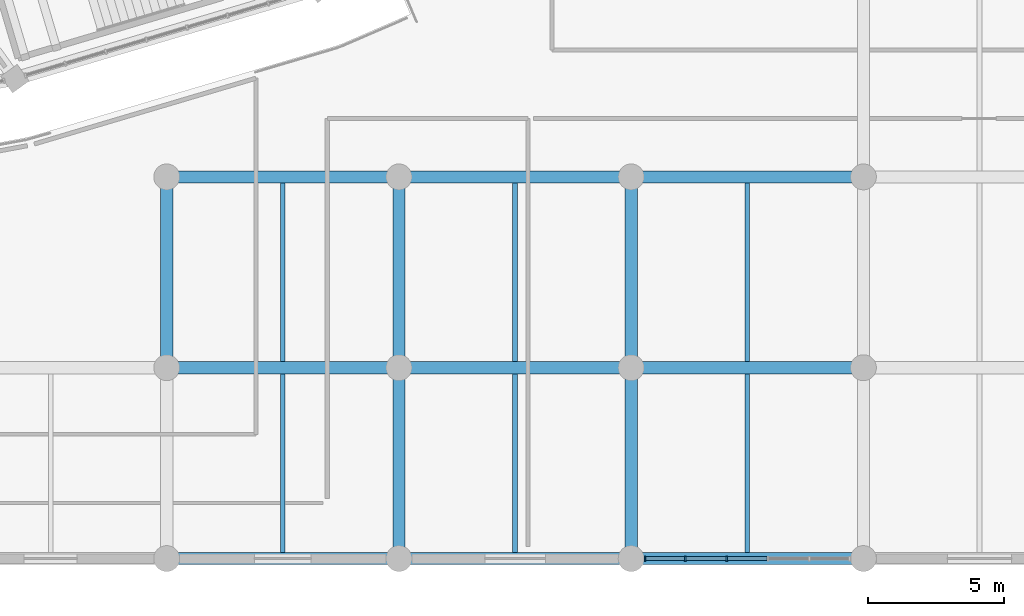
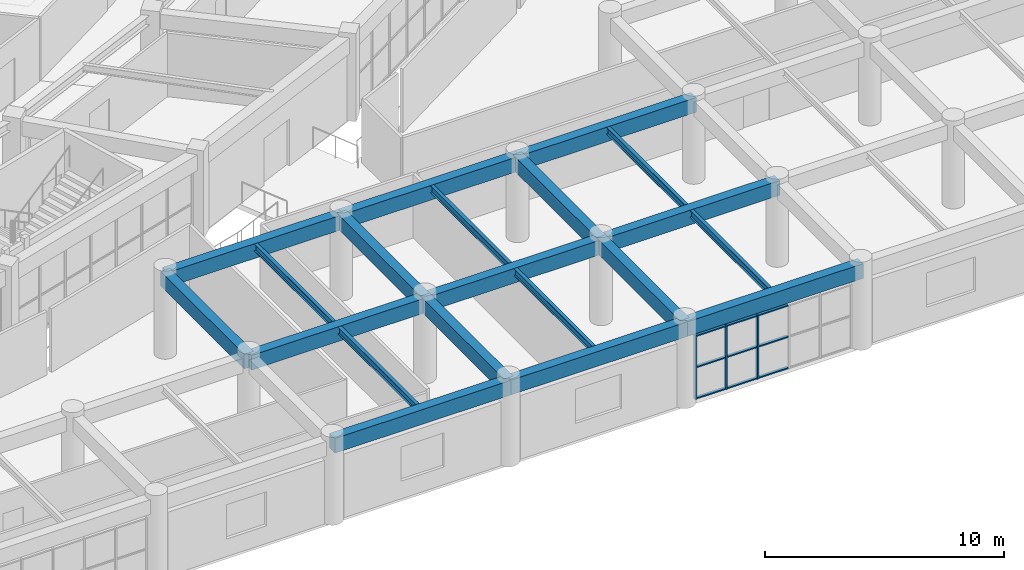
# One storey, part 34 of 141: 20 beams, 12 members, 1 element without a shape of its own.
"""IFC4 building model written with IfcOpenShell, lengths in metres."""

from ifc_helpers import new_model, si_unit, direction, frame, origin, origin_2d, place, context, subcontext, project, spatial, rectangle, i_section, extrude, material, layer, layer_set, material_profile, profile_set, type_object, element, aggregate, save


model = new_model("IFC4")

# Units and contexts
model_context = context("Model", 3, precision=1e-05, world=origin(), true_north=direction((0.0, 1.0)))
body_context = subcontext(model_context, "Body", "Model", "MODEL_VIEW")
ifc_project = project(units=[si_unit("LENGTHUNIT", "METRE"), si_unit("AREAUNIT", "SQUARE_METRE"), si_unit("VOLUMEUNIT", "CUBIC_METRE"), si_unit("PLANEANGLEUNIT", "RADIAN"), si_unit("MASSUNIT", "GRAM", prefix="KILO")], contexts=[model_context])

# Site, building, storey
site_placement = place(None, origin())
site = spatial("IfcSite", under=ifc_project, at=site_placement, CompositionType="ELEMENT")
building_placement = place(site_placement, origin())
building = spatial("IfcBuilding", under=site, at=building_placement, Name="Mphavela Belvedere Stadium", CompositionType="ELEMENT")
storey_placement = place(building_placement, frame((0.0, 0.0, 14.699951171875)))
storey = spatial("IfcBuildingStorey", under=building, at=storey_placement, Name="L03", CompositionType="ELEMENT", Elevation=14.699951171875)

# Beams
ifc_material_1 = material(Name="Steel S355", Category="steel")
ifc_material_profile_1 = material_profile(ifc_material_1, i_section(OverallWidth=0.169921875, OverallDepth=0.360107421875, WebThickness=0.008056640625, FlangeThickness=0.0126953125, at=origin_2d()), Name="IPE 360")
ifc_profile_set_1 = profile_set([ifc_material_profile_1], Name="Steel S355")
beam_type_1 = type_object("IfcBeamType", Name="BM-JOIST-IPE360", PredefinedType="JOIST", material=ifc_profile_set_1)
for number, where, z_axis, x_axis, name in (
    (1, (174.62939453125, 0.22509765625, 4.06005859375), (0.0, 1.0, 0.0), (-1.0, 0.0, 0.0), "South Axial Triumphal Peristyle Portico secondary joist L03 21-1"),
    (2, (174.62939453125, 7.22509765625, 4.06005859375), (0.0, 1.0, 0.0), (-1.0, 0.0, 0.0), "South Axial Triumphal Peristyle Portico secondary joist L03 21-2"),
    (3, (183.14794921875, 0.22509765625, 4.06005859375), (0.0, 1.0, 0.0), (-1.0, 0.0, 0.0), "South Axial Triumphal Peristyle Portico secondary joist L03 22-1"),
    (4, (183.14794921875, 7.22509765625, 4.06005859375), (0.0, 1.0, 0.0), (-1.0, 0.0, 0.0), "South Axial Triumphal Peristyle Portico secondary joist L03 22-2"),
    (5, (191.66650390625, 0.22509765625, 4.06005859375), (0.0, 1.0, 0.0), (-1.0, 0.0, 0.0), "South Axial Triumphal Peristyle Portico secondary joist L03 23-1"),
    (6, (191.66650390625, 7.22509765625, 4.06005859375), (0.0, 1.0, 0.0), (-1.0, 0.0, 0.0), "South Axial Triumphal Peristyle Portico secondary joist L03 23-2"),
):
    element("IfcBeam", number, at=place(storey_placement, frame(where, z_axis=z_axis, x_axis=x_axis)), inside=storey, type_object=beam_type_1, Name=name, PredefinedType="JOIST", context=body_context, shape_type="SweptSolid", body=[
        extrude(i_section(OverallWidth=0.169921875, OverallDepth=0.360107421875, WebThickness=0.008056640625, FlangeThickness=0.0126953125, at=origin_2d()), origin(), (0.0, 0.0, 1.0), 6.5498046875),
    ])
ifc_material_2 = material(Name="Concrete C40/50", Category="concrete")
ifc_material_profile_2 = material_profile(ifc_material_2, rectangle(XDim=0.449951171875, YDim=0.75, at=origin_2d()), Name="RC 450x750")
ifc_profile_set_2 = profile_set([ifc_material_profile_2], Name="Concrete C40/50")
beam_type_2 = type_object("IfcBeamType", Name="BM-RC450x750", PredefinedType="BEAM", material=ifc_profile_set_2)
for number, where, z_axis, x_axis, name in (
    (7, (170.3701171875, 0.0, 3.864990234375), (1.0, 0.0, 0.0), (0.0, 1.0, 0.0), "South Axial Triumphal Peristyle Portico entablature beam X L03 21-1"),
    (8, (170.3701171875, 7.0, 3.864990234375), (1.0, 0.0, 0.0), (0.0, 1.0, 0.0), "South Axial Triumphal Peristyle Portico entablature beam X L03 21-2"),
):
    element("IfcBeam", number, at=place(storey_placement, frame(where, z_axis=z_axis, x_axis=x_axis)), inside=storey, type_object=beam_type_2, Name=name, PredefinedType="BEAM", context=body_context, shape_type="SweptSolid", body=[
        extrude(rectangle(XDim=0.449951171875, YDim=0.75, at=origin_2d()), origin(), (0.0, 0.0, 1.0), 8.518798828125),
    ])
beam_1_placement = place(storey_placement, frame((170.3701171875, 7.0, 3.864990234375), z_axis=(0.0, 1.0, 0.0), x_axis=(-1.0, 0.0, 0.0)))
element("IfcBeam", 9, at=beam_1_placement, inside=storey, type_object=beam_type_2, Name="South Axial Triumphal Peristyle Portico entablature beam Y L03 21-2", PredefinedType="BEAM", context=body_context, shape_type="SweptSolid", body=[
    extrude(rectangle(XDim=0.449951171875, YDim=0.75, at=origin_2d()), origin(), (0.0, 0.0, 1.0), 7.0),
])
beam_2_placement = place(storey_placement, frame((170.3701171875, 14.0, 3.864990234375), z_axis=(1.0, 0.0, 0.0), x_axis=(0.0, 1.0, 0.0)))
element("IfcBeam", 10, at=beam_2_placement, inside=storey, type_object=beam_type_2, Name="South Axial Triumphal Peristyle Portico entablature beam X L03 21-3", PredefinedType="BEAM", context=body_context, shape_type="SweptSolid", body=[
    extrude(rectangle(XDim=0.449951171875, YDim=0.75, at=origin_2d()), origin(), (0.0, 0.0, 1.0), 8.518798828125),
])
beam_3_placement = place(storey_placement, frame((178.888916015625, 0.0, 3.864990234375), z_axis=(1.0, 0.0, 0.0), x_axis=(0.0, 1.0, 0.0)))
element("IfcBeam", 11, at=beam_3_placement, inside=storey, type_object=beam_type_2, Name="South Axial Triumphal Peristyle Portico entablature beam X L03 22-1", PredefinedType="BEAM", context=body_context, shape_type="SweptSolid", body=[
    extrude(rectangle(XDim=0.449951171875, YDim=0.75, at=origin_2d()), origin(), (0.0, 0.0, 1.0), 8.51806640625),
])
beam_4_placement = place(storey_placement, frame((178.888916015625, 0.0, 3.864990234375), z_axis=(0.0, 1.0, 0.0), x_axis=(-1.0, 0.0, 0.0)))
element("IfcBeam", 12, at=beam_4_placement, inside=storey, type_object=beam_type_2, Name="South Axial Triumphal Peristyle Portico entablature beam Y L03 22-1", PredefinedType="BEAM", context=body_context, shape_type="SweptSolid", body=[
    extrude(rectangle(XDim=0.449951171875, YDim=0.75, at=origin_2d()), origin(), (0.0, 0.0, 1.0), 7.0),
])
beam_5_placement = place(storey_placement, frame((178.888916015625, 7.0, 3.864990234375), z_axis=(1.0, 0.0, 0.0), x_axis=(0.0, 1.0, 0.0)))
element("IfcBeam", 13, at=beam_5_placement, inside=storey, type_object=beam_type_2, Name="South Axial Triumphal Peristyle Portico entablature beam X L03 22-2", PredefinedType="BEAM", context=body_context, shape_type="SweptSolid", body=[
    extrude(rectangle(XDim=0.449951171875, YDim=0.75, at=origin_2d()), origin(), (0.0, 0.0, 1.0), 8.51806640625),
])
beam_6_placement = place(storey_placement, frame((178.888916015625, 7.0, 3.864990234375), z_axis=(0.0, 1.0, 0.0), x_axis=(-1.0, 0.0, 0.0)))
element("IfcBeam", 14, at=beam_6_placement, inside=storey, type_object=beam_type_2, Name="South Axial Triumphal Peristyle Portico entablature beam Y L03 22-2", PredefinedType="BEAM", context=body_context, shape_type="SweptSolid", body=[
    extrude(rectangle(XDim=0.449951171875, YDim=0.75, at=origin_2d()), origin(), (0.0, 0.0, 1.0), 7.0),
])
beam_7_placement = place(storey_placement, frame((178.888916015625, 14.0, 3.864990234375), z_axis=(1.0, 0.0, 0.0), x_axis=(0.0, 1.0, 0.0)))
element("IfcBeam", 15, at=beam_7_placement, inside=storey, type_object=beam_type_2, Name="South Axial Triumphal Peristyle Portico entablature beam X L03 22-3", PredefinedType="BEAM", context=body_context, shape_type="SweptSolid", body=[
    extrude(rectangle(XDim=0.449951171875, YDim=0.75, at=origin_2d()), origin(), (0.0, 0.0, 1.0), 8.51806640625),
])
beam_8_placement = place(storey_placement, frame((187.406982421875, 0.0, 3.864990234375), z_axis=(1.0, 0.0, 0.0), x_axis=(0.0, 1.0, 0.0)))
element("IfcBeam", 16, at=beam_8_placement, inside=storey, type_object=beam_type_2, Name="South Axial Triumphal Peristyle Portico entablature beam X L03 23-1", PredefinedType="BEAM", context=body_context, shape_type="SweptSolid", body=[
    extrude(rectangle(XDim=0.449951171875, YDim=0.75, at=origin_2d()), origin(), (0.0, 0.0, 1.0), 8.51904296875),
])
beam_9_placement = place(storey_placement, frame((187.406982421875, 0.0, 3.864990234375), z_axis=(0.0, 1.0, 0.0), x_axis=(-1.0, 0.0, 0.0)))
element("IfcBeam", 17, at=beam_9_placement, inside=storey, type_object=beam_type_2, Name="South Axial Triumphal Peristyle Portico entablature beam Y L03 23-1", PredefinedType="BEAM", context=body_context, shape_type="SweptSolid", body=[
    extrude(rectangle(XDim=0.449951171875, YDim=0.75, at=origin_2d()), origin(), (0.0, 0.0, 1.0), 7.0),
])
beam_10_placement = place(storey_placement, frame((187.406982421875, 7.0, 3.864990234375), z_axis=(1.0, 0.0, 0.0), x_axis=(0.0, 1.0, 0.0)))
element("IfcBeam", 18, at=beam_10_placement, inside=storey, type_object=beam_type_2, Name="South Axial Triumphal Peristyle Portico entablature beam X L03 23-2", PredefinedType="BEAM", context=body_context, shape_type="SweptSolid", body=[
    extrude(rectangle(XDim=0.449951171875, YDim=0.75, at=origin_2d()), origin(), (0.0, 0.0, 1.0), 8.51904296875),
])
beam_11_placement = place(storey_placement, frame((187.406982421875, 7.0, 3.864990234375), z_axis=(0.0, 1.0, 0.0), x_axis=(-1.0, 0.0, 0.0)))
element("IfcBeam", 19, at=beam_11_placement, inside=storey, type_object=beam_type_2, Name="South Axial Triumphal Peristyle Portico entablature beam Y L03 23-2", PredefinedType="BEAM", context=body_context, shape_type="SweptSolid", body=[
    extrude(rectangle(XDim=0.449951171875, YDim=0.75, at=origin_2d()), origin(), (0.0, 0.0, 1.0), 7.0),
])
beam_12_placement = place(storey_placement, frame((187.406982421875, 14.0, 3.864990234375), z_axis=(1.0, 0.0, 0.0), x_axis=(0.0, 1.0, 0.0)))
element("IfcBeam", 20, at=beam_12_placement, inside=storey, type_object=beam_type_2, Name="South Axial Triumphal Peristyle Portico entablature beam X L03 23-3", PredefinedType="BEAM", context=body_context, shape_type="SweptSolid", body=[
    extrude(rectangle(XDim=0.449951171875, YDim=0.75, at=origin_2d()), origin(), (0.0, 0.0, 1.0), 8.51904296875),
])

# Curtain wall, members
ifc_material_3 = material(Name="Anodised bronze unitised curtain wall framing")
ifc_layer = layer(ifc_material_3, 0.18505859375)
ifc_layer_set = layer_set([ifc_layer], Name="Anodised bronze unitised curtain wall framing")
curtain_wall_type = type_object("IfcCurtainWallType", Name="CW-UNIT-02", PredefinedType="USERDEFINED", material=ifc_layer_set)
curtain_wall_placement = place(storey_placement, origin())
curtain_wall = element("IfcCurtainWall", 21, at=curtain_wall_placement, inside=storey, type_object=curtain_wall_type, Name="South Axial Triumphal Peristyle Portico gallery curtain wall L03-23", ObjectType="UNITISED CURTAIN WALL", PredefinedType="USERDEFINED")
ifc_material_4 = material(Name="Anodised bronze extruded aluminium", Category="aluminium")
ifc_material_profile_3 = material_profile(ifc_material_4, rectangle(XDim=0.179931640625, YDim=0.06494140625, at=origin_2d()), Name="CW-MUL 180x65")
ifc_profile_set_3 = profile_set([ifc_material_profile_3], Name="Anodised bronze extruded aluminium")
member_type_1 = type_object("IfcMemberType", Name="CWM-180x65", PredefinedType="MULLION", material=ifc_profile_set_3)
member_1_placement = place(storey_placement, frame((190.9091796875, 0.0, 0.0), z_axis=(0.0, 0.0, 1.0), x_axis=(0.0, -1.0, 0.0)))
member_1 = element("IfcMember", 22, at=member_1_placement, type_object=member_type_1, Name="CW-02 mullion 4", PredefinedType="MULLION", context=body_context, shape_type="SweptSolid", body=[
    extrude(rectangle(XDim=0.179931640625, YDim=0.06494140625, at=origin_2d()), origin(), (0.0, 0.0, 1.0), 3.260009765625),
])
member_2_placement = place(storey_placement, frame((189.39453125, 0.0, 0.0), z_axis=(0.0, 0.0, 1.0), x_axis=(0.0, -1.0, 0.0)))
member_2 = element("IfcMember", 23, at=member_2_placement, type_object=member_type_1, Name="CW-02 mullion 5", PredefinedType="MULLION", context=body_context, shape_type="SweptSolid", body=[
    extrude(rectangle(XDim=0.179931640625, YDim=0.06494140625, at=origin_2d()), origin(), (0.0, 0.0, 1.0), 3.260009765625),
])
member_3_placement = place(storey_placement, frame((187.91259765625, 0.0, 0.0), z_axis=(0.0, 0.0, 1.0), x_axis=(0.0, -1.0, 0.0)))
member_3 = element("IfcMember", 24, at=member_3_placement, type_object=member_type_1, Name="CW-02 mullion 6", PredefinedType="MULLION", context=body_context, shape_type="SweptSolid", body=[
    extrude(rectangle(XDim=0.179931640625, YDim=0.06494140625, at=origin_2d()), origin(), (0.0, 0.0, 1.0), 3.260009765625),
])
ifc_material_5 = material(Name="Anodised bronze extruded aluminium", Category="aluminium")
ifc_material_profile_4 = material_profile(ifc_material_5, rectangle(XDim=0.139892578125, YDim=0.06005859375, at=origin_2d()), Name="CW-TRN 140x60")
ifc_profile_set_4 = profile_set([ifc_material_profile_4], Name="Anodised bronze extruded aluminium")
member_type_2 = type_object("IfcMemberType", Name="CWT-140x60", PredefinedType="USERDEFINED", material=ifc_profile_set_4)
member_4_placement = place(storey_placement, frame((192.391357421875, 0.0, 0.030029296875), z_axis=(-1.0, 0.0, 0.0), x_axis=(0.0, -1.0, 0.0)))
member_4 = element("IfcMember", 25, at=member_4_placement, type_object=member_type_2, Name="CW-02 transom 3.1", ObjectType="TRANSOM", PredefinedType="USERDEFINED", context=body_context, shape_type="SweptSolid", body=[
    extrude(rectangle(XDim=0.139892578125, YDim=0.06005859375, at=origin_2d()), origin(), (0.0, 0.0, 1.0), 1.44970703125),
])
member_5_placement = place(storey_placement, frame((192.391357421875, 0.0, 1.630126953125), z_axis=(-1.0, 0.0, 0.0), x_axis=(0.0, -1.0, 0.0)))
member_5 = element("IfcMember", 26, at=member_5_placement, type_object=member_type_2, Name="CW-02 transom 3.2", ObjectType="TRANSOM", PredefinedType="USERDEFINED", context=body_context, shape_type="SweptSolid", body=[
    extrude(rectangle(XDim=0.139892578125, YDim=0.06005859375, at=origin_2d()), origin(), (0.0, 0.0, 1.0), 1.44970703125),
])
member_6_placement = place(storey_placement, frame((192.391357421875, 0.0, 3.22998046875), z_axis=(-1.0, 0.0, 0.0), x_axis=(0.0, -1.0, 0.0)))
member_6 = element("IfcMember", 27, at=member_6_placement, type_object=member_type_2, Name="CW-02 transom 3.3", ObjectType="TRANSOM", PredefinedType="USERDEFINED", context=body_context, shape_type="SweptSolid", body=[
    extrude(rectangle(XDim=0.139892578125, YDim=0.06005859375, at=origin_2d()), origin(), (0.0, 0.0, 1.0), 1.44970703125),
])
member_7_placement = place(storey_placement, frame((190.876708984375, 0.0, 0.030029296875), z_axis=(-1.0, 0.0, 0.0), x_axis=(0.0, -1.0, 0.0)))
member_7 = element("IfcMember", 28, at=member_7_placement, type_object=member_type_2, Name="CW-02 transom 4.1", ObjectType="TRANSOM", PredefinedType="USERDEFINED", context=body_context, shape_type="SweptSolid", body=[
    extrude(rectangle(XDim=0.139892578125, YDim=0.06005859375, at=origin_2d()), origin(), (0.0, 0.0, 1.0), 1.44970703125),
])
member_8_placement = place(storey_placement, frame((190.876708984375, 0.0, 1.630126953125), z_axis=(-1.0, 0.0, 0.0), x_axis=(0.0, -1.0, 0.0)))
member_8 = element("IfcMember", 29, at=member_8_placement, type_object=member_type_2, Name="CW-02 transom 4.2", ObjectType="TRANSOM", PredefinedType="USERDEFINED", context=body_context, shape_type="SweptSolid", body=[
    extrude(rectangle(XDim=0.139892578125, YDim=0.06005859375, at=origin_2d()), origin(), (0.0, 0.0, 1.0), 1.44970703125),
])
member_9_placement = place(storey_placement, frame((190.876708984375, 0.0, 3.22998046875), z_axis=(-1.0, 0.0, 0.0), x_axis=(0.0, -1.0, 0.0)))
member_9 = element("IfcMember", 30, at=member_9_placement, type_object=member_type_2, Name="CW-02 transom 4.3", ObjectType="TRANSOM", PredefinedType="USERDEFINED", context=body_context, shape_type="SweptSolid", body=[
    extrude(rectangle(XDim=0.139892578125, YDim=0.06005859375, at=origin_2d()), origin(), (0.0, 0.0, 1.0), 1.44970703125),
])
member_10_placement = place(storey_placement, frame((189.362060546875, 0.0, 0.030029296875), z_axis=(-1.0, 0.0, 0.0), x_axis=(0.0, -1.0, 0.0)))
member_10 = element("IfcMember", 31, at=member_10_placement, type_object=member_type_2, Name="CW-02 transom 5.1", ObjectType="TRANSOM", PredefinedType="USERDEFINED", context=body_context, shape_type="SweptSolid", body=[
    extrude(rectangle(XDim=0.139892578125, YDim=0.06005859375, at=origin_2d()), origin(), (0.0, 0.0, 1.0), 1.4169921875),
])
member_11_placement = place(storey_placement, frame((189.362060546875, 0.0, 1.630126953125), z_axis=(-1.0, 0.0, 0.0), x_axis=(0.0, -1.0, 0.0)))
member_11 = element("IfcMember", 32, at=member_11_placement, type_object=member_type_2, Name="CW-02 transom 5.2", ObjectType="TRANSOM", PredefinedType="USERDEFINED", context=body_context, shape_type="SweptSolid", body=[
    extrude(rectangle(XDim=0.139892578125, YDim=0.06005859375, at=origin_2d()), origin(), (0.0, 0.0, 1.0), 1.4169921875),
])
member_12_placement = place(storey_placement, frame((189.362060546875, 0.0, 3.22998046875), z_axis=(-1.0, 0.0, 0.0), x_axis=(0.0, -1.0, 0.0)))
member_12 = element("IfcMember", 33, at=member_12_placement, type_object=member_type_2, Name="CW-02 transom 5.3", ObjectType="TRANSOM", PredefinedType="USERDEFINED", context=body_context, shape_type="SweptSolid", body=[
    extrude(rectangle(XDim=0.139892578125, YDim=0.06005859375, at=origin_2d()), origin(), (0.0, 0.0, 1.0), 1.4169921875),
])
aggregate(curtain_wall, [member_1, member_2, member_3, member_4, member_5, member_6, member_7, member_8, member_9, member_10, member_11, member_12])

save(model, "model.ifc")
